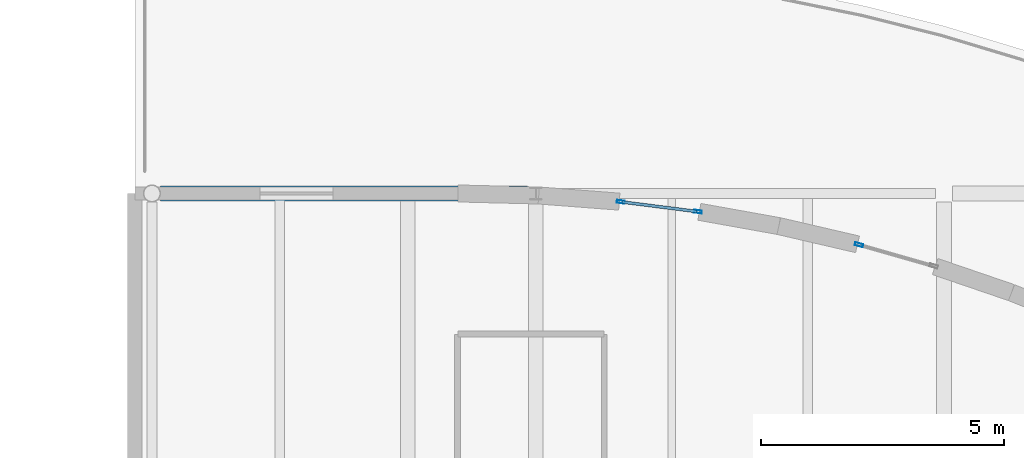
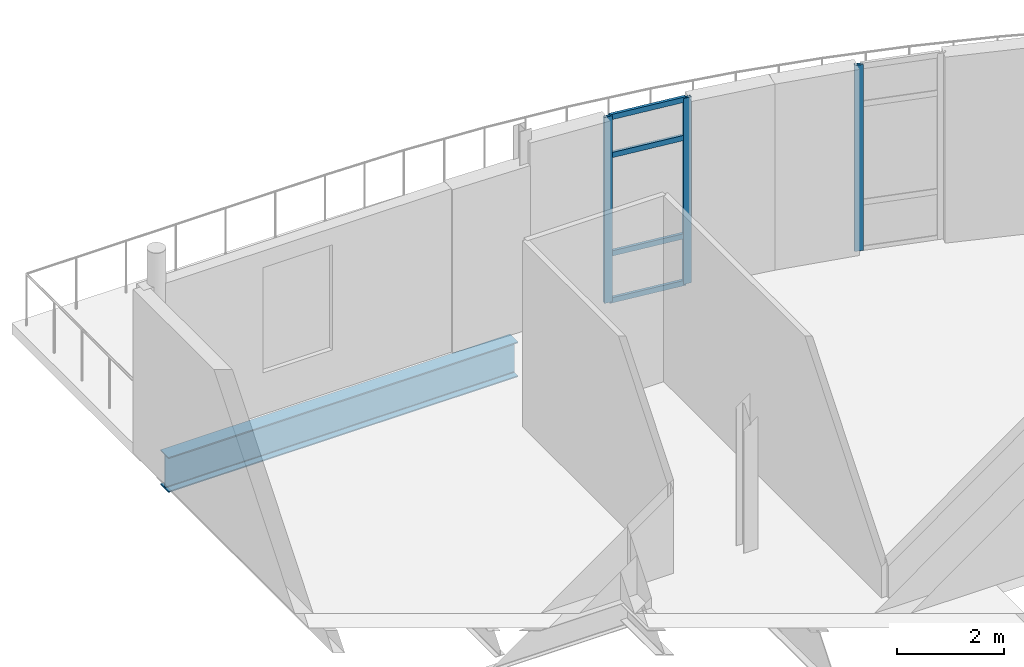
# One storey, part 10 of 40: 7 members, 1 beam, 2 elements without a shape of their own.
"""IFC4 building model written with IfcOpenShell, lengths in metres."""

from ifc_helpers import new_model, si_unit, direction, frame, origin, origin_2d, place, context, subcontext, project, spatial, hollow_rectangle, i_section, extrude, material, layer, layer_set, material_profile, profile_set, type_object, element, aggregate, save


model = new_model("IFC4")

# Units and contexts
model_context = context("Model", 3, precision=1e-05, world=origin(), true_north=direction((0.0, 1.0)))
body_context = subcontext(model_context, "Body", "Model", "MODEL_VIEW")
ifc_project = project(units=[si_unit("LENGTHUNIT", "METRE"), si_unit("AREAUNIT", "SQUARE_METRE"), si_unit("VOLUMEUNIT", "CUBIC_METRE"), si_unit("PLANEANGLEUNIT", "RADIAN"), si_unit("MASSUNIT", "GRAM", prefix="KILO"), si_unit("THERMODYNAMICTEMPERATUREUNIT", "KELVIN")], contexts=[model_context])

# Site, building, storey
site_placement = place(None, origin())
site = spatial("IfcSite", under=ifc_project, at=site_placement, CompositionType="ELEMENT")
building_placement = place(site_placement, origin())
building = spatial("IfcBuilding", under=site, at=building_placement, Name="Lustrewick Department Store", CompositionType="ELEMENT")
storey_placement = place(building_placement, frame((0.0, 0.0, 31.800048828125)))
storey = spatial("IfcBuildingStorey", under=building, at=storey_placement, Name="L07", CompositionType="ELEMENT", Elevation=31.800048828125)

# Curtain wall, member
ifc_material_1 = material(Name="Thermally broken aluminium 6063-T5", Category="aluminium")
ifc_layer_1 = layer(ifc_material_1, 0.169921875, Name="Thermally broken aluminium 6063-T5")
ifc_layer_set_1 = layer_set([ifc_layer_1], Name="Thermally broken aluminium 6063-T5")
curtain_wall_type_1 = type_object("IfcCurtainWallType", Name="CW03", PredefinedType="NOTDEFINED", material=ifc_layer_set_1)
curtain_wall_1_placement = place(storey_placement, origin())
curtain_wall_1 = element("IfcCurtainWall", 1, at=curtain_wall_1_placement, inside=storey, type_object=curtain_wall_type_1, Name="L07 V4 Curtain Wall CW03", PredefinedType="NOTDEFINED")
ifc_material_profile_1 = material_profile(ifc_material_1, hollow_rectangle(XDim=0.06494140625, YDim=0.169921875, WallThickness=0.00390625, at=origin_2d()), Name="ALU-M 65x170x4")
ifc_profile_set_1 = profile_set([ifc_material_profile_1], Name="Thermally broken aluminium 6063-T5")
member_type_1 = type_object("IfcMemberType", Name="CW03-M1", PredefinedType="MULLION", material=ifc_profile_set_1)
member_1_placement = place(storey_placement, frame((124.252685546875, 91.343994140625, 0.0), z_axis=(0.0, 0.0, 1.0), x_axis=(-0.275062862782, -0.96142624341, 0.0)))
member_1 = element("IfcMember", 2, at=member_1_placement, type_object=member_type_1, Name="CW03 mullion 2", PredefinedType="MULLION", context=body_context, shape_type="SweptSolid", body=[
    extrude(hollow_rectangle(XDim=0.06494140625, YDim=0.169921875, WallThickness=0.00390625, at=origin_2d()), origin(), (0.0, 0.0, 1.0), 4.244873046875),
])
aggregate(curtain_wall_1, [member_1])

# Curtain wall, members
ifc_layer_2 = layer(ifc_material_1, 0.159912109375, Name="Thermally broken aluminium 6063-T5")
ifc_layer_set_2 = layer_set([ifc_layer_2], Name="Thermally broken aluminium 6063-T5")
curtain_wall_type_2 = type_object("IfcCurtainWallType", Name="CW04", PredefinedType="NOTDEFINED", material=ifc_layer_set_2)
curtain_wall_2_placement = place(storey_placement, origin())
curtain_wall_2 = element("IfcCurtainWall", 3, at=curtain_wall_2_placement, inside=storey, type_object=curtain_wall_type_2, Name="L07 V4 Curtain Wall CW04", PredefinedType="NOTDEFINED")
ifc_material_profile_2 = material_profile(ifc_material_1, hollow_rectangle(XDim=0.06005859375, YDim=0.159912109375, WallThickness=0.00390625, at=origin_2d()), Name="ALU-M 60x160x4")
ifc_profile_set_2 = profile_set([ifc_material_profile_2], Name="Thermally broken aluminium 6063-T5")
member_type_2 = type_object("IfcMemberType", Name="CW04-M1", PredefinedType="MULLION", material=ifc_profile_set_2)
member_2_placement = place(storey_placement, frame((120.93701171875, 92.025634765625, 0.0), z_axis=(0.0, 0.0, 1.0), x_axis=(-0.126308112363, -0.991991058806, 0.0)))
member_2 = element("IfcMember", 4, at=member_2_placement, type_object=member_type_2, Name="CW04 mullion 1", PredefinedType="MULLION", context=body_context, shape_type="SweptSolid", body=[
    extrude(hollow_rectangle(XDim=0.06005859375, YDim=0.159912109375, WallThickness=0.00390625, at=origin_2d()), origin(), (0.0, 0.0, 1.0), 4.244873046875),
])
member_3_placement = place(storey_placement, frame((119.34814453125, 92.22802734375, 0.0), z_axis=(0.0, 0.0, 1.0), x_axis=(-0.126308112363, -0.991991058806, 0.0)))
member_3 = element("IfcMember", 5, at=member_3_placement, type_object=member_type_2, Name="CW04 mullion 2", PredefinedType="MULLION", context=body_context, shape_type="SweptSolid", body=[
    extrude(hollow_rectangle(XDim=0.06005859375, YDim=0.159912109375, WallThickness=0.00390625, at=origin_2d()), origin(), (0.0, 0.0, 1.0), 4.244873046875),
])
ifc_material_profile_3 = material_profile(ifc_material_1, hollow_rectangle(XDim=0.06005859375, YDim=0.1201171875, WallThickness=0.00341796875, at=origin_2d()), Name="ALU-T 60x120x3.5")
ifc_profile_set_3 = profile_set([ifc_material_profile_3], Name="Thermally broken aluminium 6063-T5")
member_type_3 = type_object("IfcMemberType", Name="CW04-T1", PredefinedType="USERDEFINED", material=ifc_profile_set_3)
member_4_placement = place(storey_placement, frame((120.9072265625, 92.029296875, 0.030029296875), z_axis=(-0.991982758659, 0.126373282473, 0.0), x_axis=(-0.126373282473, -0.991982758659, 0.0)))
member_4 = element("IfcMember", 6, at=member_4_placement, type_object=member_type_3, Name="CW04 transom 1.1", ObjectType="TRANSOM", PredefinedType="USERDEFINED", context=body_context, shape_type="SweptSolid", body=[
    extrude(hollow_rectangle(XDim=0.06005859375, YDim=0.1201171875, WallThickness=0.00341796875, at=origin_2d()), origin(), (0.0, 0.0, 1.0), 1.541748046875),
])
member_5_placement = place(storey_placement, frame((120.9072265625, 92.029296875, 1.099853515625), z_axis=(-0.991982758659, 0.126373282473, 0.0), x_axis=(-0.126373282473, -0.991982758659, 0.0)))
member_5 = element("IfcMember", 7, at=member_5_placement, type_object=member_type_3, Name="CW04 transom 1.2", ObjectType="TRANSOM", PredefinedType="USERDEFINED", context=body_context, shape_type="SweptSolid", body=[
    extrude(hollow_rectangle(XDim=0.06005859375, YDim=0.1201171875, WallThickness=0.00341796875, at=origin_2d()), origin(), (0.0, 0.0, 1.0), 1.541748046875),
])
member_6_placement = place(storey_placement, frame((120.9072265625, 92.029296875, 3.344970703125), z_axis=(-0.991982758659, 0.126373282473, 0.0), x_axis=(-0.126373282473, -0.991982758659, 0.0)))
member_6 = element("IfcMember", 8, at=member_6_placement, type_object=member_type_3, Name="CW04 transom 1.3", ObjectType="TRANSOM", PredefinedType="USERDEFINED", context=body_context, shape_type="SweptSolid", body=[
    extrude(hollow_rectangle(XDim=0.06005859375, YDim=0.1201171875, WallThickness=0.00341796875, at=origin_2d()), origin(), (0.0, 0.0, 1.0), 1.541748046875),
])
member_7_placement = place(storey_placement, frame((120.9072265625, 92.029296875, 4.21484375), z_axis=(-0.991982758659, 0.126373282473, 0.0), x_axis=(-0.126373282473, -0.991982758659, 0.0)))
member_7 = element("IfcMember", 9, at=member_7_placement, type_object=member_type_3, Name="CW04 transom 1.4", ObjectType="TRANSOM", PredefinedType="USERDEFINED", context=body_context, shape_type="SweptSolid", body=[
    extrude(hollow_rectangle(XDim=0.06005859375, YDim=0.1201171875, WallThickness=0.00341796875, at=origin_2d()), origin(), (0.0, 0.0, 1.0), 1.541748046875),
])
aggregate(curtain_wall_2, [member_2, member_3, member_4, member_5, member_6, member_7])

# Beam
ifc_material_2 = material(Name="Structural steel Q355B", Category="steel")
ifc_material_profile_4 = material_profile(ifc_material_2, i_section(OverallWidth=0.300048828125, OverallDepth=0.800048828125, WebThickness=0.013916015625, FlangeThickness=0.02587890625, FilletRadius=0.02197265625, at=origin_2d()), Name="HN 800x300x14x26")
ifc_profile_set_4 = profile_set([ifc_material_profile_4], Name="Structural steel Q355B")
beam_type = type_object("IfcBeamType", Name="G05", PredefinedType="BEAM", material=ifc_profile_set_4)
beam_placement = place(storey_placement, frame((109.8779296875, 92.39990234375, -0.655029296875), z_axis=(1.0, 0.0, 0.0), x_axis=(0.0, 1.0, 0.0)))
element("IfcBeam", 10, at=beam_placement, inside=storey, type_object=beam_type, Name="L07 V4 Girder G05", PredefinedType="BEAM", context=body_context, shape_type="SweptSolid", body=[
    extrude(i_section(OverallWidth=0.300048828125, OverallDepth=0.800048828125, WebThickness=0.013916015625, FlangeThickness=0.02587890625, FilletRadius=0.02197265625, at=origin_2d()), origin(), (0.0, 0.0, 1.0), 7.548095703125),
])

save(model, "model.ifc")
